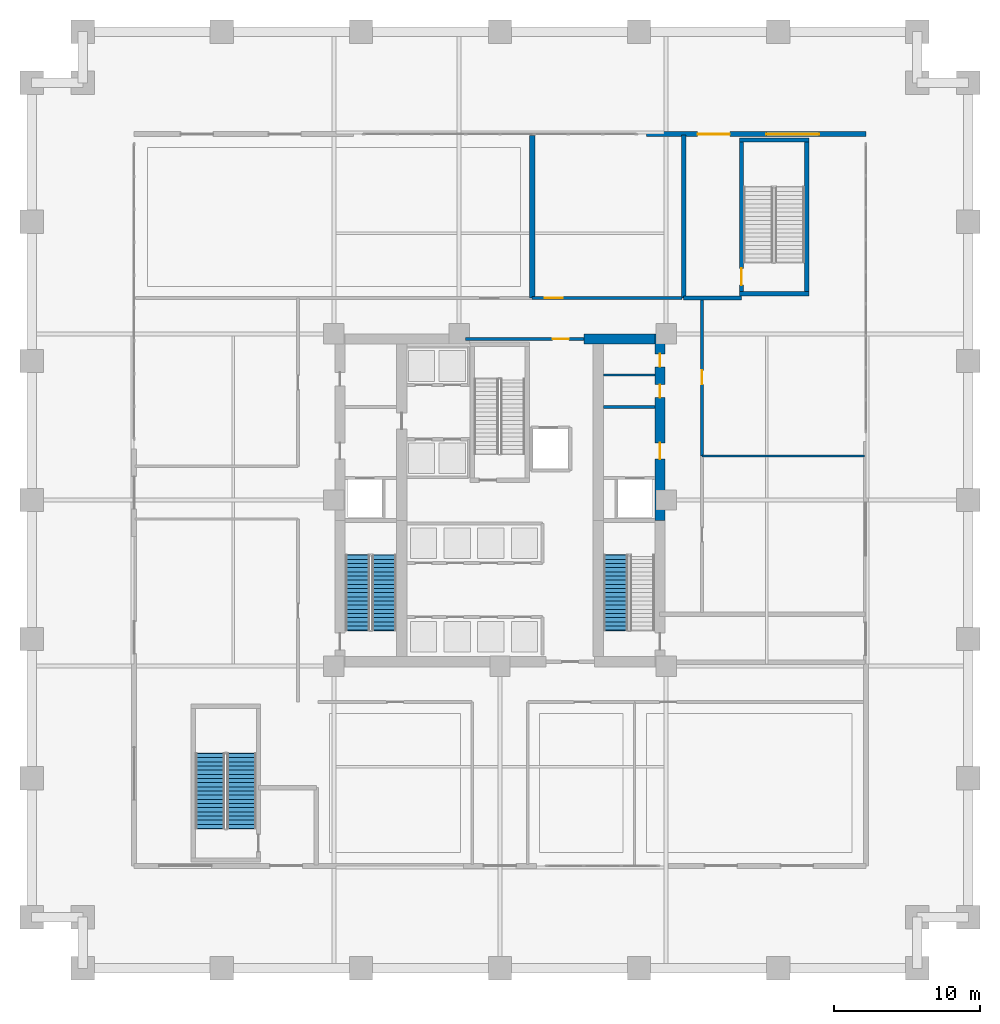
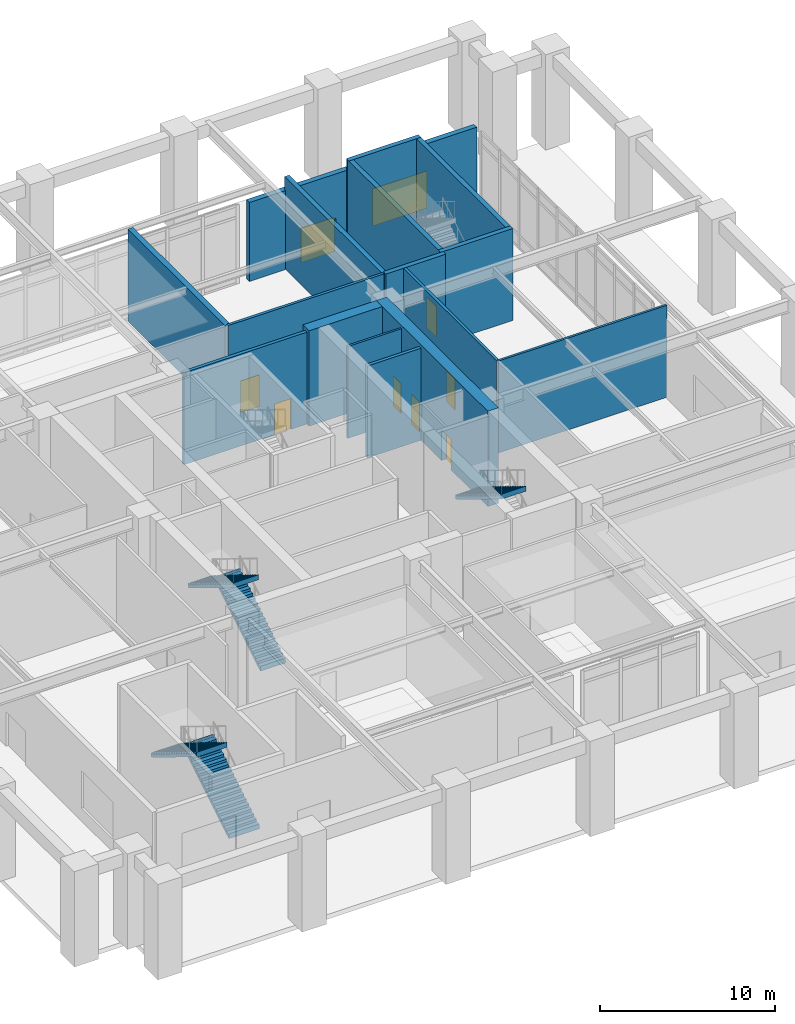
# One storey, part 11 of 17: 16 walls, 8 doors, 5 stair flights, 1 window, 9 openings, 3 elements without a shape of their own.
"""IFC4 building model written with IfcOpenShell, lengths in metres."""

from ifc_helpers import new_model, si_unit, direction, frame, frame_2d, origin, place, context, subcontext, project, spatial, polyline, rectangle, outline, extrude, material, layer, layer_set, type_object, element, fill, aggregate, save


model = new_model("IFC4")

# Units and contexts
model_context = context("Model", 3, precision=1e-05, world=origin(), true_north=direction((0.0, 1.0)))
body_context = subcontext(model_context, "Body", "Model", "MODEL_VIEW")
ifc_project = project(units=[si_unit("LENGTHUNIT", "METRE"), si_unit("AREAUNIT", "SQUARE_METRE"), si_unit("VOLUMEUNIT", "CUBIC_METRE"), si_unit("PLANEANGLEUNIT", "RADIAN"), si_unit("MASSUNIT", "GRAM", prefix="KILO")], contexts=[model_context])

# Site, building, storey
site_placement = place(None, origin())
site = spatial("IfcSite", under=ifc_project, at=site_placement, CompositionType="ELEMENT")
building_placement = place(site_placement, origin())
building = spatial("IfcBuilding", under=site, at=building_placement, Name="Nhamokura Convention Tower", CompositionType="ELEMENT")
storey_placement = place(building_placement, origin())
storey = spatial("IfcBuildingStorey", under=building, at=storey_placement, Name="L00", CompositionType="ELEMENT", Elevation=0.0)

# Wall
ifc_material_1 = material(Name="Moisture-resistant tile-backer partition", Category="masonry")
ifc_layer_1 = layer(ifc_material_1, 0.139892578125)
ifc_layer_set_1 = layer_set([ifc_layer_1], Name="BathroomWetWall_140")
wall_type_1 = type_object("IfcWallType", Name="BathroomWetWall_140", PredefinedType="STANDARD", material=ifc_layer_set_1)
wall_1_placement = place(storey_placement, frame((39.06005859375, 40.550048828125, 0.0), z_axis=(0.0, 0.0, 1.0), x_axis=(1.0, 0.0, 0.0)))
element("IfcWall", 1, at=wall_1_placement, inside=storey, type_object=wall_type_1, Name="L00 Wall INT-L00-CWNE", PredefinedType="STANDARD", context=body_context, shape_type="SweptSolid", body=[
    extrude(rectangle(XDim=3.530029296875, YDim=0.139892578125, at=frame_2d((1.76513671875, 0.0))), origin(), (0.0, 0.0, 1.0), 6.409912109375),
])

# Wall, openings, door, window
ifc_material_2 = material(Name="Warm buff architectural precast concrete C45/55", Category="concrete")
ifc_layer_2 = layer(ifc_material_2, 0.340087890625)
ifc_layer_set_2 = layer_set([ifc_layer_2], Name="CastStoneBaseWall_340")
wall_type_2 = type_object("IfcWallType", Name="CastStoneBaseWall_340", PredefinedType="USERDEFINED", material=ifc_layer_set_2)
wall_2_placement = place(storey_placement, frame((42.0, 57.0, 0.0), z_axis=(0.0, 0.0, 1.0), x_axis=(1.0, 0.0, 0.0)))
wall_2 = element("IfcWall", 2, at=wall_2_placement, inside=storey, type_object=wall_type_2, Name="L00 Arrival Pavilion Wall NR", ObjectType="SPANDREL_WALL", PredefinedType="USERDEFINED", context=body_context, shape_type="SweptSolid", body=[
    extrude(rectangle(XDim=15.0, YDim=0.340087890625, at=frame_2d((7.5, 0.0))), origin(), (0.0, 0.0, 1.0), 5.510009765625),
])
opening_1_placement = place(wall_2_placement, frame((3.5, 0.0, 0.0)))
opening_1 = element("IfcOpeningElement", 3, at=opening_1_placement, cuts=wall_2, Name="Opening D-01", PredefinedType="OPENING", context=body_context, shape_type="SweptSolid", body=[
    extrude(rectangle(XDim=2.199951171875, YDim=2.39990234375, at=frame_2d((1.10009765625, 1.199951171875))), frame((0.0, 0.179931640625, 0.0), z_axis=(0.0, -1.0, 0.0), x_axis=(1.0, 0.0, 0.0)), (0.0, 0.0, 1.0), 0.360107421875),
])
opening_2_placement = place(wall_2_placement, frame((8.199951171875, 0.0, 0.89990234375)))
opening_2 = element("IfcOpeningElement", 4, at=opening_2_placement, cuts=wall_2, Name="Opening W-01", PredefinedType="OPENING", context=body_context, shape_type="SweptSolid", body=[
    extrude(rectangle(XDim=3.60009765625, YDim=2.60009765625, at=frame_2d((1.800048828125, 1.300048828125))), frame((0.0, 0.179931640625, 0.0), z_axis=(0.0, -1.0, 0.0), x_axis=(1.0, 0.0, 0.0)), (0.0, 0.0, 1.0), 0.360107421875),
])
ifc_material_3 = material(Name="Anodised bronze aluminium AA6063-T6", Category="aluminium")
door_type_1 = type_object("IfcDoorType", Name="FinalExitDoubleDoor_2200", OperationType="DOUBLE_DOOR_SINGLE_SWING", PredefinedType="DOOR", material=ifc_material_3)
door_1_placement = place(opening_1_placement, origin())
door_1 = element("IfcDoor", 5, at=door_1_placement, inside=storey, type_object=door_type_1, Name="L00 Pedestrian Final Exit Door EX-05", OperationType="DOUBLE_DOOR_SINGLE_SWING", OverallHeight=2.39990234375, OverallWidth=2.199951171875, PredefinedType="DOOR", context=body_context, shape_type="SweptSolid", body=[
    extrude(rectangle(XDim=2.199951171875, YDim=2.39990234375, at=frame_2d((1.10009765625, 1.199951171875))), frame((0.0, 0.02490234375, 0.0), z_axis=(0.0, -1.0, 0.0), x_axis=(1.0, 0.0, 0.0)), (0.0, 0.0, 1.0), 0.050048828125),
])
fill(opening_1, door_1)
ifc_material_4 = material(Name="Solar-control bronze low-E double glass", Category="glass")
window_type = type_object("IfcWindowType", Name="PodiumClerestoryWindow_3600", PartitioningType="TRIPLE_PANEL_VERTICAL", PredefinedType="WINDOW", material=ifc_material_4)
window_placement = place(opening_2_placement, origin())
window = element("IfcWindow", 6, at=window_placement, inside=storey, type_object=window_type, Name="L00 Pavilion Window WIN-NR", OverallHeight=2.60009765625, OverallWidth=3.60009765625, PartitioningType="SINGLE_PANEL", PredefinedType="WINDOW", context=body_context, shape_type="SweptSolid", body=[
    extrude(rectangle(XDim=3.60009765625, YDim=2.60009765625, at=frame_2d((1.800048828125, 1.300048828125))), frame((0.0, 0.030029296875, 0.0), z_axis=(0.0, -1.0, 0.0), x_axis=(1.0, 0.0, 0.0)), (0.0, 0.0, 1.0), 0.06005859375),
])
fill(opening_2, window)

# Wall, openings, doors
ifc_material_5 = material(Name="Concrete C70/85", Category="concrete")
ifc_layer_3 = layer(ifc_material_5, 0.699951171875)
ifc_layer_set_3 = layer_set([ifc_layer_3], Name="CoreShearWall_700")
wall_type_3 = type_object("IfcWallType", Name="CoreShearWall_700", PredefinedType="SHEAR", material=ifc_layer_set_3)
wall_3_placement = place(storey_placement, frame((42.93994140625, 30.60009765625, 0.0), z_axis=(0.0, 0.0, 1.0), x_axis=(0.0, 1.0, 0.0)))
wall_3 = element("IfcWall", 7, at=wall_3_placement, inside=storey, type_object=wall_type_3, Name="L00 Core Shear Wall CW-EN", PredefinedType="SHEAR", context=body_context, shape_type="SweptSolid", body=[
    extrude(rectangle(XDim=12.75, YDim=0.699951171875, at=frame_2d((6.375, 0.0))), origin(), (0.0, 0.0, 1.0), 6.64990234375),
])
opening_3_placement = place(wall_3_placement, frame((4.199951171875, 0.0, 0.0)))
opening_3 = element("IfcOpeningElement", 8, at=opening_3_placement, cuts=wall_3, Name="Opening D-05", PredefinedType="OPENING", context=body_context, shape_type="SweptSolid", body=[
    extrude(rectangle(XDim=1.10009765625, YDim=2.14990234375, at=frame_2d((0.550048828125, 1.074951171875))), frame((0.0, 0.35986328125, 0.0), z_axis=(0.0, -1.0, 0.0), x_axis=(1.0, 0.0, 0.0)), (0.0, 0.0, 1.0), 0.719970703125),
])
opening_4_placement = place(wall_3_placement, frame((8.39990234375, 0.0, 0.0)))
opening_4 = element("IfcOpeningElement", 9, at=opening_4_placement, cuts=wall_3, Name="Opening D-11", PredefinedType="OPENING", context=body_context, shape_type="SweptSolid", body=[
    extrude(rectangle(XDim=0.8798828125, YDim=2.10009765625, at=frame_2d((0.43994140625, 1.050048828125))), frame((0.0, 0.35986328125, 0.0), z_axis=(0.0, -1.0, 0.0), x_axis=(1.0, 0.0, 0.0)), (0.0, 0.0, 1.0), 0.719970703125),
])
opening_5_placement = place(wall_3_placement, frame((10.5, 0.0, 0.0)))
opening_5 = element("IfcOpeningElement", 10, at=opening_5_placement, cuts=wall_3, Name="Opening D-11", PredefinedType="OPENING", context=body_context, shape_type="SweptSolid", body=[
    extrude(rectangle(XDim=0.8798828125, YDim=2.10009765625, at=frame_2d((0.43994140625, 1.050048828125))), frame((0.0, 0.35986328125, 0.0), z_axis=(0.0, -1.0, 0.0), x_axis=(1.0, 0.0, 0.0)), (0.0, 0.0, 1.0), 0.719970703125),
])
ifc_material_6 = material(Name="Solid oak hardwood", Category="wood")
door_type_2 = type_object("IfcDoorType", Name="BathroomDoor_880", OperationType="NOTDEFINED", PredefinedType="DOOR", material=ifc_material_6)
door_2_placement = place(opening_4_placement, origin())
door_2 = element("IfcDoor", 11, at=door_2_placement, inside=storey, type_object=door_type_2, Name="L00 Core Door INT-L00-D-MWC", OperationType="SINGLE_SWING_RIGHT", OverallHeight=2.10009765625, OverallWidth=0.8798828125, PredefinedType="DOOR", context=body_context, shape_type="SweptSolid", body=[
    extrude(rectangle(XDim=0.8798828125, YDim=2.10009765625, at=frame_2d((0.43994140625, 1.050048828125))), frame((0.0, 0.02490234375, 0.0), z_axis=(0.0, -1.0, 0.0), x_axis=(1.0, 0.0, 0.0)), (0.0, 0.0, 1.0), 0.050048828125),
])
fill(opening_4, door_2)
door_3_placement = place(opening_5_placement, origin())
door_3 = element("IfcDoor", 12, at=door_3_placement, inside=storey, type_object=door_type_2, Name="L00 Core Door INT-L00-D-FWC", OperationType="SINGLE_SWING_LEFT", OverallHeight=2.10009765625, OverallWidth=0.8798828125, PredefinedType="DOOR", context=body_context, shape_type="SweptSolid", body=[
    extrude(rectangle(XDim=0.8798828125, YDim=2.10009765625, at=frame_2d((0.43994140625, 1.050048828125))), frame((0.0, 0.02490234375, 0.0), z_axis=(0.0, -1.0, 0.0), x_axis=(1.0, 0.0, 0.0)), (0.0, 0.0, 1.0), 0.050048828125),
])
fill(opening_5, door_3)
ifc_material_7 = material(Name="Fire-rated steel door", Category="steel")
door_type_3 = type_object("IfcDoorType", Name="FireLobbyDoor_1100", OperationType="NOTDEFINED", PredefinedType="DOOR", material=ifc_material_7)
door_4_placement = place(opening_3_placement, origin())
door_4 = element("IfcDoor", 13, at=door_4_placement, inside=storey, type_object=door_type_3, Name="L00 Core Door INT-L00-D-FFLE", OperationType="SINGLE_SWING_LEFT", OverallHeight=2.14990234375, OverallWidth=1.10009765625, PredefinedType="DOOR", context=body_context, shape_type="SweptSolid", body=[
    extrude(rectangle(XDim=1.10009765625, YDim=2.14990234375, at=frame_2d((0.550048828125, 1.074951171875))), frame((0.0, 0.02490234375, 0.0), z_axis=(0.0, -1.0, 0.0), x_axis=(1.0, 0.0, 0.0)), (0.0, 0.0, 1.0), 0.050048828125),
])
fill(opening_3, door_4)

# Wall
wall_4_placement = place(storey_placement, frame((37.75, 43.0, 0.0), z_axis=(0.0, 0.0, 1.0), x_axis=(1.0, 0.0, 0.0)))
element("IfcWall", 14, at=wall_4_placement, inside=storey, type_object=wall_type_3, Name="L00 Core Shear Wall CW-N2", PredefinedType="SHEAR", context=body_context, shape_type="SweptSolid", body=[
    extrude(rectangle(XDim=4.840087890625, YDim=0.699951171875, at=frame_2d((2.419921875, 0.0))), origin(), (0.0, 0.0, 1.0), 6.64990234375),
])

# Wall, opening, door
ifc_material_8 = material(Name="Fire-rated gypsum and masonry partition", Category="masonry")
ifc_layer_4 = layer(ifc_material_8, 0.179931640625)
ifc_layer_set_4 = layer_set([ifc_layer_4], Name="CorridorRatedWall_180")
wall_type_4 = type_object("IfcWallType", Name="CorridorRatedWall_180", PredefinedType="STANDARD", material=ifc_layer_set_4)
wall_5_placement = place(storey_placement, frame((34.199951171875, 45.800048828125, 0.0), z_axis=(0.0, 0.0, 1.0), x_axis=(1.0, 0.0, 0.0)))
wall_5 = element("IfcWall", 15, at=wall_5_placement, inside=storey, type_object=wall_type_4, Name="L00 Wall INT-L00-CW-N01", PredefinedType="STANDARD", context=body_context, shape_type="SweptSolid", body=[
    extrude(rectangle(XDim=10.25, YDim=0.179931640625, at=frame_2d((5.125, 0.0))), origin(), (0.0, 0.0, 1.0), 6.409912109375),
])
opening_6_placement = place(wall_5_placement, frame((0.85009765625, 0.0, 0.0)))
opening_6 = element("IfcOpeningElement", 16, at=opening_6_placement, cuts=wall_5, Name="Opening D-12", PredefinedType="OPENING", context=body_context, shape_type="SweptSolid", body=[
    extrude(rectangle(XDim=1.25, YDim=2.199951171875, at=frame_2d((0.625, 1.10009765625))), frame((0.0, 0.099853515625, 0.0), z_axis=(0.0, -1.0, 0.0), x_axis=(1.0, 0.0, 0.0)), (0.0, 0.0, 1.0), 0.199951171875),
])
ifc_material_9 = material(Name="Fire-rated steel door", Category="steel")
door_type_4 = type_object("IfcDoorType", Name="PlantServiceDoor_1250", OperationType="NOTDEFINED", PredefinedType="DOOR", material=ifc_material_9)
door_5_placement = place(opening_6_placement, origin())
door_5 = element("IfcDoor", 17, at=door_5_placement, inside=storey, type_object=door_type_4, Name="L00 Office Sky-Shuttle Concourse N02 Door", OperationType="SINGLE_SWING_RIGHT", OverallHeight=2.199951171875, OverallWidth=1.25, PredefinedType="DOOR", context=body_context, shape_type="SweptSolid", body=[
    extrude(rectangle(XDim=1.25, YDim=2.199951171875, at=frame_2d((0.625, 1.10009765625))), frame((0.0, 0.02490234375, 0.0), z_axis=(0.0, -1.0, 0.0), x_axis=(1.0, 0.0, 0.0)), (0.0, 0.0, 1.0), 0.050048828125),
])
fill(opening_6, door_5)

wall_6_placement = place(storey_placement, frame((45.800048828125, 35.0, 0.0), z_axis=(0.0, 0.0, 1.0), x_axis=(0.0, 1.0, 0.0)))
wall_6 = element("IfcWall", 18, at=wall_6_placement, inside=storey, type_object=wall_type_4, Name="L00 Wall INT-L00-CW-E01", PredefinedType="STANDARD", context=body_context, shape_type="SweptSolid", body=[
    extrude(rectangle(XDim=10.800048828125, YDim=0.179931640625, at=frame_2d((5.39990234375, 0.0))), origin(), (0.0, 0.0, 1.0), 6.409912109375),
])
opening_7_placement = place(wall_6_placement, frame((4.89990234375, 0.0, 0.0)))
opening_7 = element("IfcOpeningElement", 19, at=opening_7_placement, cuts=wall_6, Name="Opening D-09", PredefinedType="OPENING", context=body_context, shape_type="SweptSolid", body=[
    extrude(rectangle(XDim=0.949951171875, YDim=2.14990234375, at=frame_2d((0.47509765625, 1.074951171875))), frame((0.0, 0.099853515625, 0.0), z_axis=(0.0, -1.0, 0.0), x_axis=(1.0, 0.0, 0.0)), (0.0, 0.0, 1.0), 0.199951171875),
])
ifc_material_10 = material(Name="Solid oak hardwood", Category="wood")
door_type_5 = type_object("IfcDoorType", Name="MeetingRoomDoor_950", OperationType="NOTDEFINED", PredefinedType="DOOR", material=ifc_material_10)
door_6_placement = place(opening_7_placement, origin())
door_6 = element("IfcDoor", 20, at=door_6_placement, inside=storey, type_object=door_type_5, Name="L00 Press Accreditation Room E02 Door", OperationType="SINGLE_SWING_RIGHT", OverallHeight=2.14990234375, OverallWidth=0.949951171875, PredefinedType="DOOR", context=body_context, shape_type="SweptSolid", body=[
    extrude(rectangle(XDim=0.949951171875, YDim=2.14990234375, at=frame_2d((0.47509765625, 1.074951171875))), frame((0.0, 0.02490234375, 0.0), z_axis=(0.0, -1.0, 0.0), x_axis=(1.0, 0.0, 0.0)), (0.0, 0.0, 1.0), 0.050048828125),
])
fill(opening_7, door_6)

# Wall
ifc_material_11 = material(Name="Autoclaved concrete blockwork", Category="masonry")
ifc_layer_5 = layer(ifc_material_11, 0.219970703125)
ifc_layer_set_5 = layer_set([ifc_layer_5], Name="FireLobbyWall_220")
wall_type_5 = type_object("IfcWallType", Name="FireLobbyWall_220", PredefinedType="STANDARD", material=ifc_layer_set_5)
wall_7_placement = place(storey_placement, frame((39.06005859375, 38.35009765625, 0.0), z_axis=(0.0, 0.0, 1.0), x_axis=(1.0, 0.0, 0.0)))
element("IfcWall", 21, at=wall_7_placement, inside=storey, type_object=wall_type_5, Name="L00 Wall INT-L00-FFE-N", PredefinedType="STANDARD", context=body_context, shape_type="SweptSolid", body=[
    extrude(rectangle(XDim=3.530029296875, YDim=0.219970703125, at=frame_2d((1.76513671875, 0.0))), origin(), (0.0, 0.0, 1.0), 6.409912109375),
])

# Wall, opening, door
wall_8_placement = place(storey_placement, frame((29.64990234375, 43.0, 0.0), z_axis=(0.0, 0.0, 1.0), x_axis=(1.0, 0.0, 0.0)))
wall_8 = element("IfcWall", 22, at=wall_8_placement, inside=storey, type_object=wall_type_5, Name="L00 Wall INT-L00-CPORT-N", PredefinedType="STANDARD", context=body_context, shape_type="SweptSolid", body=[
    extrude(rectangle(XDim=8.10009765625, YDim=0.219970703125, at=frame_2d((4.050048828125, 0.0))), origin(), (0.0, 0.0, 1.0), 6.409912109375),
])
opening_8_placement = place(wall_8_placement, frame((5.949951171875, 0.0, 0.0)))
opening_8 = element("IfcOpeningElement", 23, at=opening_8_placement, cuts=wall_8, Name="Opening D-05", PredefinedType="OPENING", context=body_context, shape_type="SweptSolid", body=[
    extrude(rectangle(XDim=1.10009765625, YDim=2.14990234375, at=frame_2d((0.550048828125, 1.074951171875))), frame((0.0, 0.119873046875, 0.0), z_axis=(0.0, -1.0, 0.0), x_axis=(1.0, 0.0, 0.0)), (0.0, 0.0, 1.0), 0.239990234375),
])
door_7_placement = place(opening_8_placement, origin())
door_7 = element("IfcDoor", 24, at=door_7_placement, inside=storey, type_object=door_type_3, Name="L00 North Core Lobby Portal Door", OperationType="SINGLE_SWING_RIGHT", OverallHeight=2.14990234375, OverallWidth=1.10009765625, PredefinedType="DOOR", context=body_context, shape_type="SweptSolid", body=[
    extrude(rectangle(XDim=1.10009765625, YDim=2.14990234375, at=frame_2d((0.550048828125, 1.074951171875))), frame((0.0, 0.02490234375, 0.0), z_axis=(0.0, -1.0, 0.0), x_axis=(1.0, 0.0, 0.0)), (0.0, 0.0, 1.0), 0.050048828125),
])
fill(opening_8, door_7)

# Walls
ifc_material_12 = material(Name="Concrete C50/60", Category="concrete")
ifc_layer_6 = layer(ifc_material_12, 0.35009765625)
ifc_layer_set_6 = layer_set([ifc_layer_6], Name="FirewallPlant_350")
wall_type_6 = type_object("IfcWallType", Name="FirewallPlant_350", PredefinedType="STANDARD", material=ifc_layer_set_6)
wall_9_placement = place(storey_placement, frame((34.199951171875, 45.800048828125, 0.0), z_axis=(0.0, 0.0, 1.0), x_axis=(0.0, 1.0, 0.0)))
element("IfcWall", 25, at=wall_9_placement, inside=storey, type_object=wall_type_6, Name="L00 Wall INT-L00-RW-N01", PredefinedType="STANDARD", context=body_context, shape_type="SweptSolid", body=[
    extrude(rectangle(XDim=11.099853515625, YDim=0.35009765625, at=frame_2d((5.5498046875, 0.0))), origin(), (0.0, 0.0, 1.0), 6.409912109375),
])
ifc_material_13 = material(Name="Acoustic gypsum stud partition", Category="masonry")
ifc_layer_7 = layer(ifc_material_13, 0.14990234375)
ifc_layer_set_7 = layer_set([ifc_layer_7], Name="InteriorPartition_150")
wall_type_7 = type_object("IfcWallType", Name="InteriorPartition_150", PredefinedType="STANDARD", material=ifc_layer_set_7)
wall_10_placement = place(storey_placement, frame((45.800048828125, 35.0, 0.0), z_axis=(0.0, 0.0, 1.0), x_axis=(1.0, 0.0, 0.0)))
element("IfcWall", 26, at=wall_10_placement, inside=storey, type_object=wall_type_7, Name="L00 Wall INT-L00-RW-E01", PredefinedType="STANDARD", context=body_context, shape_type="SweptSolid", body=[
    extrude(rectangle(XDim=11.099853515625, YDim=0.14990234375, at=frame_2d((5.5498046875, 0.0))), origin(), (0.0, 0.0, 1.0), 6.409912109375),
])

# Wall, opening, door
ifc_material_14 = material(Name="Concrete C50/60", Category="concrete")
ifc_layer_8 = layer(ifc_material_14, 0.300048828125)
ifc_layer_set_8 = layer_set([ifc_layer_8], Name="ShaftEnclosureWall_300")
wall_type_8 = type_object("IfcWallType", Name="ShaftEnclosureWall_300", PredefinedType="SHEAR", material=ifc_layer_set_8)
wall_11_placement = place(storey_placement, frame((48.5, 46.10009765625, 0.0), z_axis=(0.0, 0.0, 1.0), x_axis=(0.0, 1.0, 0.0)))
wall_11 = element("IfcWall", 27, at=wall_11_placement, inside=storey, type_object=wall_type_8, Name="L00 Wall INT-L00-ST05-W", PredefinedType="SHEAR", context=body_context, shape_type="SweptSolid", body=[
    extrude(rectangle(XDim=10.5, YDim=0.300048828125, at=frame_2d((5.25, 0.0))), origin(), (0.0, 0.0, 1.0), 6.409912109375),
])
opening_9_placement = place(wall_11_placement, frame((0.580078125, 0.0, 0.0)))
opening_9 = element("IfcOpeningElement", 28, at=opening_9_placement, cuts=wall_11, Name="Opening D-04", PredefinedType="OPENING", context=body_context, shape_type="SweptSolid", body=[
    extrude(rectangle(XDim=1.14990234375, YDim=2.14990234375, at=frame_2d((0.574951171875, 1.074951171875))), frame((0.0, 0.159912109375, 0.0), z_axis=(0.0, -1.0, 0.0), x_axis=(1.0, 0.0, 0.0)), (0.0, 0.0, 1.0), 0.320068359375),
])
ifc_material_15 = material(Name="Fire-rated steel door", Category="steel")
door_type_6 = type_object("IfcDoorType", Name="StairSmokeDoor_1150", OperationType="NOTDEFINED", PredefinedType="DOOR", material=ifc_material_15)
door_8_placement = place(opening_9_placement, origin())
door_8 = element("IfcDoor", 29, at=door_8_placement, inside=storey, type_object=door_type_6, Name="L00 Stair ST-05 Smoke Door", OperationType="SINGLE_SWING_LEFT", OverallHeight=2.14990234375, OverallWidth=1.14990234375, PredefinedType="DOOR", context=body_context, shape_type="SweptSolid", body=[
    extrude(rectangle(XDim=1.14990234375, YDim=2.14990234375, at=frame_2d((0.574951171875, 1.074951171875))), frame((0.0, 0.02490234375, 0.0), z_axis=(0.0, -1.0, 0.0), x_axis=(1.0, 0.0, 0.0)), (0.0, 0.0, 1.0), 0.050048828125),
])
fill(opening_9, door_8)

# Walls
wall_12_placement = place(storey_placement, frame((52.949951171875, 46.10009765625, 0.0), z_axis=(0.0, 0.0, 1.0), x_axis=(0.0, 1.0, 0.0)))
element("IfcWall", 30, at=wall_12_placement, inside=storey, type_object=wall_type_8, Name="L00 Wall INT-L00-ST05-E", PredefinedType="SHEAR", context=body_context, shape_type="SweptSolid", body=[
    extrude(rectangle(XDim=10.5, YDim=0.300048828125, at=frame_2d((5.25, 0.0))), origin(), (0.0, 0.0, 1.0), 6.409912109375),
])
for number, where, z_axis, x_axis, name in (
    (31, (48.35009765625, 46.10009765625, 0.0), (0.0, 0.0, 1.0), (1.0, 0.0, 0.0), "L00 Wall INT-L00-ST05-S"),
    (32, (48.35009765625, 56.60009765625, 0.0), (0.0, 0.0, 1.0), (1.0, 0.0, 0.0), "L00 Wall INT-L00-ST05-N"),
):
    element("IfcWall", number, at=place(storey_placement, frame(where, z_axis=z_axis, x_axis=x_axis)), inside=storey, type_object=wall_type_8, Name=name, PredefinedType="SHEAR", context=body_context, shape_type="SweptSolid", body=[
        extrude(rectangle(XDim=4.75, YDim=0.300048828125, at=frame_2d((2.375, 0.0))), origin(), (0.0, 0.0, 1.0), 6.409912109375),
    ])
wall_13_placement = place(storey_placement, frame((44.550048828125, 45.800048828125, 0.0), z_axis=(0.0, 0.0, 1.0), x_axis=(0.0, 1.0, 0.0)))
element("IfcWall", 33, at=wall_13_placement, inside=storey, type_object=wall_type_8, Name="L00 Wall INT-L00-EXDNE-W", PredefinedType="SHEAR", context=body_context, shape_type="SweptSolid", body=[
    extrude(rectangle(XDim=11.14990234375, YDim=0.300048828125, at=frame_2d((5.574951171875, 0.0))), origin(), (0.0, 0.0, 1.0), 6.409912109375),
])
wall_14_placement = place(storey_placement, frame((44.550048828125, 45.800048828125, 0.0), z_axis=(0.0, 0.0, 1.0), x_axis=(1.0, 0.0, 0.0)))
element("IfcWall", 34, at=wall_14_placement, inside=storey, type_object=wall_type_8, Name="L00 Wall INT-L00-EXDNE-S", PredefinedType="SHEAR", context=body_context, shape_type="SweptSolid", body=[
    extrude(rectangle(XDim=3.949951171875, YDim=0.300048828125, at=frame_2d((1.97509765625, 0.0))), origin(), (0.0, 0.0, 1.0), 6.409912109375),
])

# Stair, stair flights
ifc_material_16 = material(Name="Concrete C40/50", Category="concrete")
stair_type_1 = type_object("IfcStairType", Name="PodiumExitStair_2000", PredefinedType="HALF_TURN_STAIR", material=ifc_material_16)
stair_1_placement = place(storey_placement, origin())
stair_1 = element("IfcStair", 35, at=stair_1_placement, inside=storey, type_object=stair_type_1, Name="L00 South-West Podium Smokeproof Stair ST-04", PredefinedType="HALF_TURN_STAIR")
ifc_material_17 = material(Name="Concrete C40/50", Category="concrete")
stair_flight_type_1 = type_object("IfcStairFlightType", Name="PodiumExitStair_2000_Flight", PredefinedType="STRAIGHT", material=ifc_material_17)
stair_flight_1_placement = place(storey_placement, frame((14.35009765625, 9.550048828125, 0.0), z_axis=(0.0, 0.0, 1.0), x_axis=(0.0, 1.0, 0.0)))
stair_flight_1 = element("IfcStairFlight", 36, at=stair_flight_1_placement, type_object=stair_flight_type_1, Name="ST-04 flight 1", NumberOfRisers=19, NumberOfTreads=18, PredefinedType="STRAIGHT", RiserHeight=0.175, TreadLength=0.285, context=body_context, shape_type="SweptSolid", body=[
    extrude(outline(polyline([(-0.0419921875, 0.0), (0.0, 0.175048828125), (0.284912109375, 0.175048828125), (0.284912109375, 0.35009765625), (0.570068359375, 0.35009765625), (0.570068359375, 0.52490234375), (0.85498046875, 0.52490234375), (0.85498046875, 0.699951171875), (1.139892578125, 0.699951171875), (1.139892578125, 0.875), (1.425048828125, 0.875), (1.425048828125, 1.050048828125), (1.7099609375, 1.050048828125), (1.7099609375, 1.22509765625), (1.9951171875, 1.22509765625), (1.9951171875, 1.39990234375), (2.280029296875, 1.39990234375), (2.280029296875, 1.574951171875), (2.56494140625, 1.574951171875), (2.56494140625, 1.75), (2.85009765625, 1.75), (2.85009765625, 1.925048828125), (3.135009765625, 1.925048828125), (3.135009765625, 2.10009765625), (3.419921875, 2.10009765625), (3.419921875, 2.27490234375), (3.705078125, 2.27490234375), (3.705078125, 2.449951171875), (3.989990234375, 2.449951171875), (3.989990234375, 2.625), (4.27490234375, 2.625), (4.27490234375, 2.800048828125), (4.56005859375, 2.800048828125), (4.56005859375, 2.97509765625), (4.844970703125, 2.97509765625), (4.844970703125, 3.14990234375), (5.1298828125, 3.14990234375), (5.1298828125, 3.324951171875), (5.172119140625, 3.324951171875), (5.172119140625, 2.97412109375), (5.1298828125, 2.97412109375), (0.286376953125, 0.0), (0.02001953125, -0.1298828125), (-0.0419921875, -0.1298828125), (-0.0419921875, 0.0)])), frame((0.0, 1.0, 0.0), z_axis=(0.0, -1.0, 0.0), x_axis=(1.0, 0.0, 0.0)), (0.0, 0.0, 1.0), 2.0),
])
stair_flight_2_placement = place(storey_placement, frame((12.199951171875, 14.679931640625, 3.324951171875), z_axis=(0.0, 0.0, 1.0), x_axis=(0.0, -1.0, 0.0)))
stair_flight_2 = element("IfcStairFlight", 37, at=stair_flight_2_placement, type_object=stair_flight_type_1, Name="ST-04 flight 2", NumberOfRisers=19, NumberOfTreads=18, PredefinedType="STRAIGHT", RiserHeight=0.175, TreadLength=0.285, context=body_context, shape_type="SweptSolid", body=[
    extrude(outline(polyline([(-0.0419921875, 0.0), (0.0, 0.175048828125), (0.284912109375, 0.175048828125), (0.284912109375, 0.35009765625), (0.570068359375, 0.35009765625), (0.570068359375, 0.52490234375), (0.85498046875, 0.52490234375), (0.85498046875, 0.699951171875), (1.139892578125, 0.699951171875), (1.139892578125, 0.875), (1.425048828125, 0.875), (1.425048828125, 1.050048828125), (1.7099609375, 1.050048828125), (1.7099609375, 1.22509765625), (1.9951171875, 1.22509765625), (1.9951171875, 1.39990234375), (2.280029296875, 1.39990234375), (2.280029296875, 1.574951171875), (2.56494140625, 1.574951171875), (2.56494140625, 1.75), (2.85009765625, 1.75), (2.85009765625, 1.925048828125), (3.135009765625, 1.925048828125), (3.135009765625, 2.10009765625), (3.419921875, 2.10009765625), (3.419921875, 2.27490234375), (3.705078125, 2.27490234375), (3.705078125, 2.449951171875), (3.989990234375, 2.449951171875), (3.989990234375, 2.625), (4.27490234375, 2.625), (4.27490234375, 2.800048828125), (4.56005859375, 2.800048828125), (4.56005859375, 2.97509765625), (4.844970703125, 2.97509765625), (4.844970703125, 3.14990234375), (5.1298828125, 3.14990234375), (5.1298828125, 3.324951171875), (5.172119140625, 3.324951171875), (5.172119140625, 2.97412109375), (5.1298828125, 2.97412109375), (0.286376953125, 0.0), (0.02001953125, -0.1298828125), (-0.0419921875, -0.1298828125), (-0.0419921875, 0.0)])), frame((0.0, 1.0, 0.0), z_axis=(0.0, -1.0, 0.0), x_axis=(1.0, 0.0, 0.0)), (0.0, 0.0, 1.0), 2.0),
])
aggregate(stair_1, [stair_flight_1, stair_flight_2])

ifc_material_18 = material(Name="Concrete C40/50", Category="concrete")
stair_type_2 = type_object("IfcStairType", Name="TowerCoreStair_1650", PredefinedType="HALF_TURN_STAIR", material=ifc_material_18)
stair_2_placement = place(storey_placement, origin())
stair_2 = element("IfcStair", 38, at=stair_2_placement, inside=storey, type_object=stair_type_2, Name="L00 West Core Smokeproof Stair ST-01", PredefinedType="HALF_TURN_STAIR")
ifc_material_19 = material(Name="Concrete C40/50", Category="concrete")
stair_flight_type_2 = type_object("IfcStairFlightType", Name="TowerCoreStair_1650_Flight", PredefinedType="STRAIGHT", material=ifc_material_19)
stair_flight_3_placement = place(storey_placement, frame((24.074951171875, 23.10009765625, 0.0), z_axis=(0.0, 0.0, 1.0), x_axis=(0.0, 1.0, 0.0)))
stair_flight_3 = element("IfcStairFlight", 39, at=stair_flight_3_placement, type_object=stair_flight_type_2, Name="ST-01 flight 1", NumberOfRisers=19, NumberOfTreads=18, PredefinedType="STRAIGHT", RiserHeight=0.175, TreadLength=0.285, context=body_context, shape_type="SweptSolid", body=[
    extrude(outline(polyline([(-0.0419921875, 0.0), (0.0, 0.175048828125), (0.284912109375, 0.175048828125), (0.284912109375, 0.35009765625), (0.570068359375, 0.35009765625), (0.570068359375, 0.52490234375), (0.85498046875, 0.52490234375), (0.85498046875, 0.699951171875), (1.139892578125, 0.699951171875), (1.139892578125, 0.875), (1.425048828125, 0.875), (1.425048828125, 1.050048828125), (1.7099609375, 1.050048828125), (1.7099609375, 1.22509765625), (1.9951171875, 1.22509765625), (1.9951171875, 1.39990234375), (2.280029296875, 1.39990234375), (2.280029296875, 1.574951171875), (2.56494140625, 1.574951171875), (2.56494140625, 1.75), (2.85009765625, 1.75), (2.85009765625, 1.925048828125), (3.135009765625, 1.925048828125), (3.135009765625, 2.10009765625), (3.419921875, 2.10009765625), (3.419921875, 2.27490234375), (3.705078125, 2.27490234375), (3.705078125, 2.449951171875), (3.989990234375, 2.449951171875), (3.989990234375, 2.625), (4.27490234375, 2.625), (4.27490234375, 2.800048828125), (4.56005859375, 2.800048828125), (4.56005859375, 2.97509765625), (4.844970703125, 2.97509765625), (4.844970703125, 3.14990234375), (5.1298828125, 3.14990234375), (5.1298828125, 3.324951171875), (5.172119140625, 3.324951171875), (5.172119140625, 2.97412109375), (5.1298828125, 2.97412109375), (0.286376953125, 0.0), (0.02001953125, -0.1298828125), (-0.0419921875, -0.1298828125), (-0.0419921875, 0.0)])), frame((0.0, 0.824951171875, 0.0), z_axis=(0.0, -1.0, 0.0), x_axis=(1.0, 0.0, 0.0)), (0.0, 0.0, 1.0), 1.64990234375),
])
stair_flight_4_placement = place(storey_placement, frame((22.27490234375, 28.22998046875, 3.324951171875), z_axis=(0.0, 0.0, 1.0), x_axis=(0.0, -1.0, 0.0)))
stair_flight_4 = element("IfcStairFlight", 40, at=stair_flight_4_placement, type_object=stair_flight_type_2, Name="ST-01 flight 2", NumberOfRisers=19, NumberOfTreads=18, PredefinedType="STRAIGHT", RiserHeight=0.175, TreadLength=0.285, context=body_context, shape_type="SweptSolid", body=[
    extrude(outline(polyline([(-0.0419921875, 0.0), (0.0, 0.175048828125), (0.284912109375, 0.175048828125), (0.284912109375, 0.35009765625), (0.570068359375, 0.35009765625), (0.570068359375, 0.52490234375), (0.85498046875, 0.52490234375), (0.85498046875, 0.699951171875), (1.139892578125, 0.699951171875), (1.139892578125, 0.875), (1.425048828125, 0.875), (1.425048828125, 1.050048828125), (1.7099609375, 1.050048828125), (1.7099609375, 1.22509765625), (1.9951171875, 1.22509765625), (1.9951171875, 1.39990234375), (2.280029296875, 1.39990234375), (2.280029296875, 1.574951171875), (2.56494140625, 1.574951171875), (2.56494140625, 1.75), (2.85009765625, 1.75), (2.85009765625, 1.925048828125), (3.135009765625, 1.925048828125), (3.135009765625, 2.10009765625), (3.419921875, 2.10009765625), (3.419921875, 2.27490234375), (3.705078125, 2.27490234375), (3.705078125, 2.449951171875), (3.989990234375, 2.449951171875), (3.989990234375, 2.625), (4.27490234375, 2.625), (4.27490234375, 2.800048828125), (4.56005859375, 2.800048828125), (4.56005859375, 2.97509765625), (4.844970703125, 2.97509765625), (4.844970703125, 3.14990234375), (5.1298828125, 3.14990234375), (5.1298828125, 3.324951171875), (5.172119140625, 3.324951171875), (5.172119140625, 2.97412109375), (5.1298828125, 2.97412109375), (0.286376953125, 0.0), (0.02001953125, -0.1298828125), (-0.0419921875, -0.1298828125), (-0.0419921875, 0.0)])), frame((0.0, 0.824951171875, 0.0), z_axis=(0.0, -1.0, 0.0), x_axis=(1.0, 0.0, 0.0)), (0.0, 0.0, 1.0), 1.64990234375),
])
aggregate(stair_2, [stair_flight_3, stair_flight_4])

# Stair, stair flight
stair_3_placement = place(storey_placement, origin())
stair_3 = element("IfcStair", 41, at=stair_3_placement, inside=storey, type_object=stair_type_2, Name="L00 East Core Smokeproof Stair ST-02", PredefinedType="HALF_TURN_STAIR")
stair_flight_5_placement = place(storey_placement, frame((39.925048828125, 28.22998046875, 3.324951171875), z_axis=(0.0, 0.0, 1.0), x_axis=(0.0, -1.0, 0.0)))
stair_flight_5 = element("IfcStairFlight", 42, at=stair_flight_5_placement, type_object=stair_flight_type_2, Name="ST-02 flight 2", NumberOfRisers=19, NumberOfTreads=18, PredefinedType="STRAIGHT", RiserHeight=0.175, TreadLength=0.285, context=body_context, shape_type="SweptSolid", body=[
    extrude(outline(polyline([(-0.0419921875, 0.0), (0.0, 0.175048828125), (0.284912109375, 0.175048828125), (0.284912109375, 0.35009765625), (0.570068359375, 0.35009765625), (0.570068359375, 0.52490234375), (0.85498046875, 0.52490234375), (0.85498046875, 0.699951171875), (1.139892578125, 0.699951171875), (1.139892578125, 0.875), (1.425048828125, 0.875), (1.425048828125, 1.050048828125), (1.7099609375, 1.050048828125), (1.7099609375, 1.22509765625), (1.9951171875, 1.22509765625), (1.9951171875, 1.39990234375), (2.280029296875, 1.39990234375), (2.280029296875, 1.574951171875), (2.56494140625, 1.574951171875), (2.56494140625, 1.75), (2.85009765625, 1.75), (2.85009765625, 1.925048828125), (3.135009765625, 1.925048828125), (3.135009765625, 2.10009765625), (3.419921875, 2.10009765625), (3.419921875, 2.27490234375), (3.705078125, 2.27490234375), (3.705078125, 2.449951171875), (3.989990234375, 2.449951171875), (3.989990234375, 2.625), (4.27490234375, 2.625), (4.27490234375, 2.800048828125), (4.56005859375, 2.800048828125), (4.56005859375, 2.97509765625), (4.844970703125, 2.97509765625), (4.844970703125, 3.14990234375), (5.1298828125, 3.14990234375), (5.1298828125, 3.324951171875), (5.172119140625, 3.324951171875), (5.172119140625, 2.97412109375), (5.1298828125, 2.97412109375), (0.286376953125, 0.0), (0.02001953125, -0.1298828125), (-0.0419921875, -0.1298828125), (-0.0419921875, 0.0)])), frame((0.0, 0.824951171875, 0.0), z_axis=(0.0, -1.0, 0.0), x_axis=(1.0, 0.0, 0.0)), (0.0, 0.0, 1.0), 1.64990234375),
])
aggregate(stair_3, [stair_flight_5])

save(model, "model.ifc")
